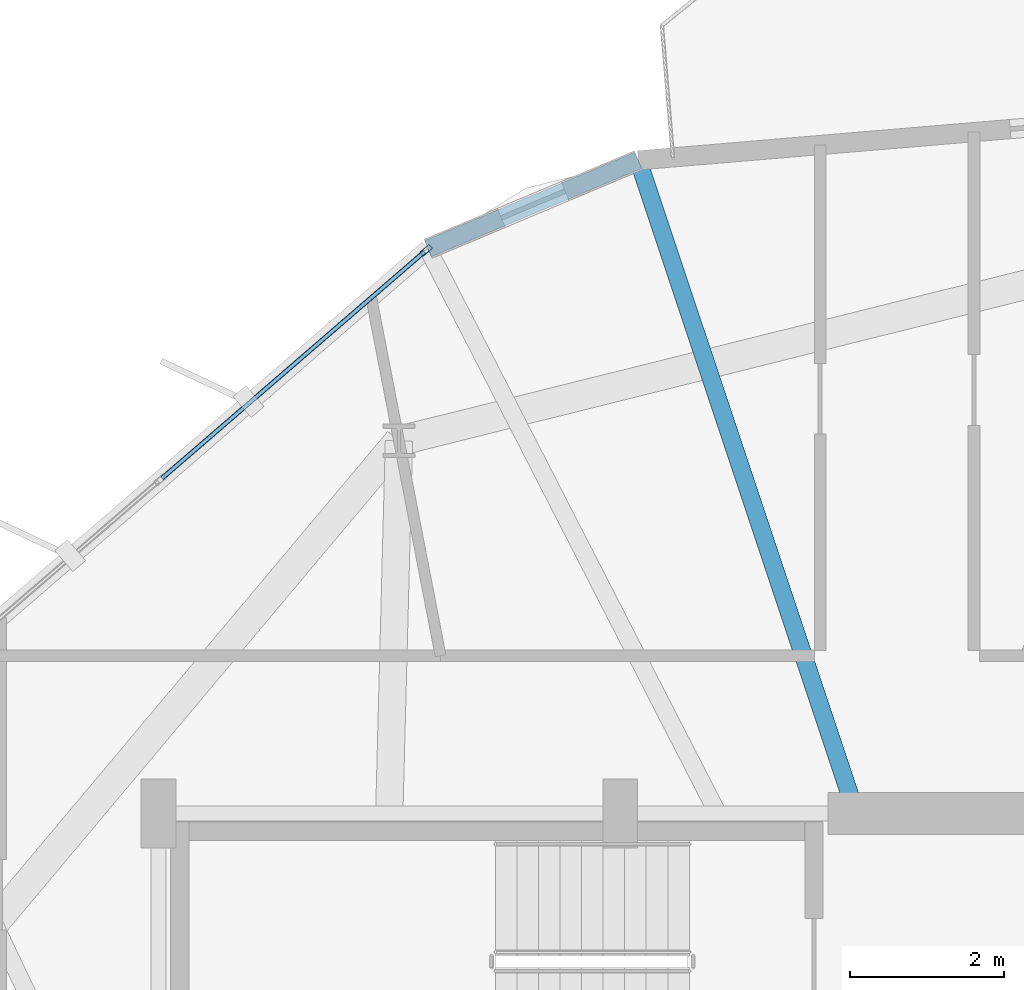
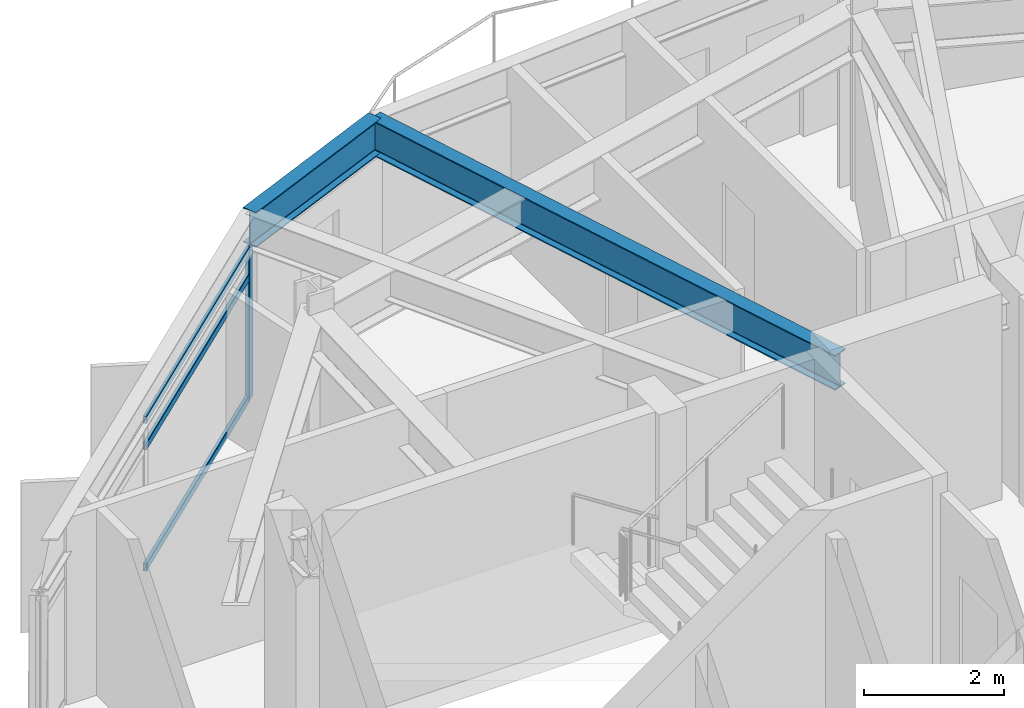
# One storey, part 16 of 27: 4 members, 2 beams, 1 element without a shape of its own.
"""IFC4 building model written with IfcOpenShell, lengths in metres."""

from ifc_helpers import new_model, si_unit, direction, frame, origin, origin_2d, place, context, subcontext, project, spatial, hollow_rectangle, i_section, extrude, material, layer, layer_set, material_profile, profile_set, type_object, element, aggregate, save


model = new_model("IFC4")

# Units and contexts
model_context = context("Model", 3, precision=1e-05, world=origin(), true_north=direction((0.0, 1.0)))
body_context = subcontext(model_context, "Body", "Model", "MODEL_VIEW")
ifc_project = project(units=[si_unit("LENGTHUNIT", "METRE"), si_unit("AREAUNIT", "SQUARE_METRE"), si_unit("VOLUMEUNIT", "CUBIC_METRE"), si_unit("PLANEANGLEUNIT", "RADIAN"), si_unit("MASSUNIT", "GRAM", prefix="KILO")], contexts=[model_context])

# Site, building, storey
site_placement = place(None, origin())
site = spatial("IfcSite", under=ifc_project, at=site_placement, CompositionType="ELEMENT")
building_placement = place(site_placement, origin())
building = spatial("IfcBuilding", under=site, at=building_placement, Name="Soratama Intermodal Tower", CompositionType="ELEMENT")
storey_placement = place(building_placement, frame((0.0, 0.0, 182.199951171875)))
storey = spatial("IfcBuildingStorey", under=building, at=storey_placement, Name="L45", CompositionType="ELEMENT", Elevation=182.199951171875)

# Beams
ifc_material_1 = material(Name="Structural steel ASTM A992 Grade 50", Category="steel")
ifc_material_profile_1 = material_profile(ifc_material_1, i_section(OverallWidth=0.22900390625, OverallDepth=0.612060546875, WebThickness=0.011962890625, FlangeThickness=0.01953125, FilletRadius=0.012939453125, at=origin_2d()), Name="W24X84")
ifc_profile_set_1 = profile_set([ifc_material_profile_1], Name="Structural steel ASTM A992 Grade 50")
beam_type_1 = type_object("IfcBeamType", Name="BM-SPN-W24X84", PredefinedType="SPANDREL", material=ifc_profile_set_1)
beam_1_placement = place(storey_placement, frame((38.8369140625, 43.488037109375, 2.9541015625), z_axis=(-0.921948017049, -0.387313637585, 0.0), x_axis=(0.387313637585, -0.921948017049, 0.0)))
element("IfcBeam", 1, at=beam_1_placement, inside=storey, type_object=beam_type_1, Name="BS-L45-CRN02", PredefinedType="SPANDREL", context=body_context, shape_type="SweptSolid", body=[
    extrude(i_section(OverallWidth=0.22900390625, OverallDepth=0.612060546875, WebThickness=0.011962890625, FlangeThickness=0.01953125, FilletRadius=0.012939453125, at=origin_2d()), origin(), (0.0, 0.0, 1.0), 2.96630859375),
])
ifc_material_2 = material(Name="Structural steel ASTM A992 Grade 50", Category="steel")
ifc_material_profile_2 = material_profile(ifc_material_2, i_section(OverallWidth=0.22900390625, OverallDepth=0.612060546875, WebThickness=0.011962890625, FlangeThickness=0.01953125, FilletRadius=0.012939453125, at=origin_2d()), Name="W24X84")
ifc_profile_set_2 = profile_set([ifc_material_profile_2], Name="Structural steel ASTM A992 Grade 50")
beam_type_2 = type_object("IfcBeamType", Name="BM-TIE-W24X84", PredefinedType="BEAM", material=ifc_profile_set_2)
beam_2_placement = place(storey_placement, frame((41.654052734375, 35.0380859375, 2.9541015625), z_axis=(-0.316277102515, 0.948666851126, 0.0), x_axis=(-0.948666851126, -0.316277102515, 0.0)))
element("IfcBeam", 2, at=beam_2_placement, inside=storey, type_object=beam_type_2, Name="BM-L45-TIE1-02", PredefinedType="BEAM", context=body_context, shape_type="SweptSolid", body=[
    extrude(i_section(OverallWidth=0.22900390625, OverallDepth=0.612060546875, WebThickness=0.011962890625, FlangeThickness=0.01953125, FilletRadius=0.012939453125, at=origin_2d()), origin(), (0.0, 0.0, 1.0), 8.9072265625),
])

# Curtain wall, members
ifc_material_3 = material(Name="Double-glazed aluminium curtain wall", Category="aluminium")
ifc_layer = layer(ifc_material_3, 0.159912109375)
ifc_layer_set = layer_set([ifc_layer], Name="Double-glazed aluminium curtain wall")
curtain_wall_type = type_object("IfcCurtainWallType", Name="CW-SYS-4", PredefinedType="NOTDEFINED", material=ifc_layer_set)
curtain_wall_placement = place(storey_placement, origin())
curtain_wall = element("IfcCurtainWall", 3, at=curtain_wall_placement, inside=storey, type_object=curtain_wall_type, Name="L45 Faceted Curtain Wall F03", PredefinedType="NOTDEFINED")
ifc_material_4 = material(Name="Anodised aluminium AA 6063-T6", Category="aluminium")
ifc_material_profile_3 = material_profile(ifc_material_4, hollow_rectangle(XDim=0.070068359375, YDim=0.159912109375, WallThickness=0.0048828125, InnerFilletRadius=0.0048828125, OuterFilletRadius=0.010009765625, at=origin_2d()), Name="CWM160X70X5")
ifc_profile_set_3 = profile_set([ifc_material_profile_3], Name="Anodised aluminium AA 6063-T6")
member_type_1 = type_object("IfcMemberType", Name="MT-CWM-4", PredefinedType="MULLION", material=ifc_profile_set_3)
member_1_placement = place(storey_placement, frame((36.079833984375, 42.319091796875, 0.0), z_axis=(0.0, 0.0, 1.0), x_axis=(0.653423478427, -0.756992574495, 0.0)))
member_1 = element("IfcMember", 4, at=member_1_placement, type_object=member_type_1, Name="CW-4 mullion 1", PredefinedType="MULLION", context=body_context, shape_type="SweptSolid", body=[
    extrude(hollow_rectangle(XDim=0.070068359375, YDim=0.159912109375, WallThickness=0.0048828125, InnerFilletRadius=0.0048828125, OuterFilletRadius=0.010009765625, at=origin_2d()), origin(), (0.0, 0.0, 1.0), 2.63916015625),
])
ifc_material_5 = material(Name="Anodised aluminium AA 6063-T6", Category="aluminium")
ifc_material_profile_4 = material_profile(ifc_material_5, hollow_rectangle(XDim=0.06005859375, YDim=0.1298828125, WallThickness=0.0048828125, InnerFilletRadius=0.0048828125, OuterFilletRadius=0.010009765625, at=origin_2d()), Name="CWT130X60X5")
ifc_profile_set_4 = profile_set([ifc_material_profile_4], Name="Anodised aluminium AA 6063-T6")
member_type_2 = type_object("IfcMemberType", Name="TT-CWT-2", PredefinedType="USERDEFINED", material=ifc_profile_set_4)
member_2_placement = place(storey_placement, frame((36.05712890625, 42.29931640625, 0.030029296875), z_axis=(-0.757025293615, -0.653385571333, 0.0), x_axis=(0.653385571333, -0.757025293615, 0.0)))
member_2 = element("IfcMember", 5, at=member_2_placement, type_object=member_type_2, Name="CW-4 transom 1.1", ObjectType="TRANSOM", PredefinedType="USERDEFINED", context=body_context, shape_type="SweptSolid", body=[
    extrude(hollow_rectangle(XDim=0.06005859375, YDim=0.1298828125, WallThickness=0.0048828125, InnerFilletRadius=0.0048828125, OuterFilletRadius=0.010009765625, at=origin_2d()), origin(), (0.0, 0.0, 1.0), 4.504150390625),
])
member_3_placement = place(storey_placement, frame((36.05712890625, 42.29931640625, 2.150146484375), z_axis=(-0.757025293615, -0.653385571333, 0.0), x_axis=(0.653385571333, -0.757025293615, 0.0)))
member_3 = element("IfcMember", 6, at=member_3_placement, type_object=member_type_2, Name="CW-4 transom 1.2", ObjectType="TRANSOM", PredefinedType="USERDEFINED", context=body_context, shape_type="SweptSolid", body=[
    extrude(hollow_rectangle(XDim=0.06005859375, YDim=0.1298828125, WallThickness=0.0048828125, InnerFilletRadius=0.0048828125, OuterFilletRadius=0.010009765625, at=origin_2d()), origin(), (0.0, 0.0, 1.0), 4.504150390625),
])
member_4_placement = place(storey_placement, frame((36.05712890625, 42.29931640625, 2.609130859375), z_axis=(-0.757025293615, -0.653385571333, 0.0), x_axis=(0.653385571333, -0.757025293615, 0.0)))
member_4 = element("IfcMember", 7, at=member_4_placement, type_object=member_type_2, Name="CW-4 transom 1.3", ObjectType="TRANSOM", PredefinedType="USERDEFINED", context=body_context, shape_type="SweptSolid", body=[
    extrude(hollow_rectangle(XDim=0.06005859375, YDim=0.1298828125, WallThickness=0.0048828125, InnerFilletRadius=0.0048828125, OuterFilletRadius=0.010009765625, at=origin_2d()), origin(), (0.0, 0.0, 1.0), 4.504150390625),
])
aggregate(curtain_wall, [member_1, member_2, member_3, member_4])

save(model, "model.ifc")
